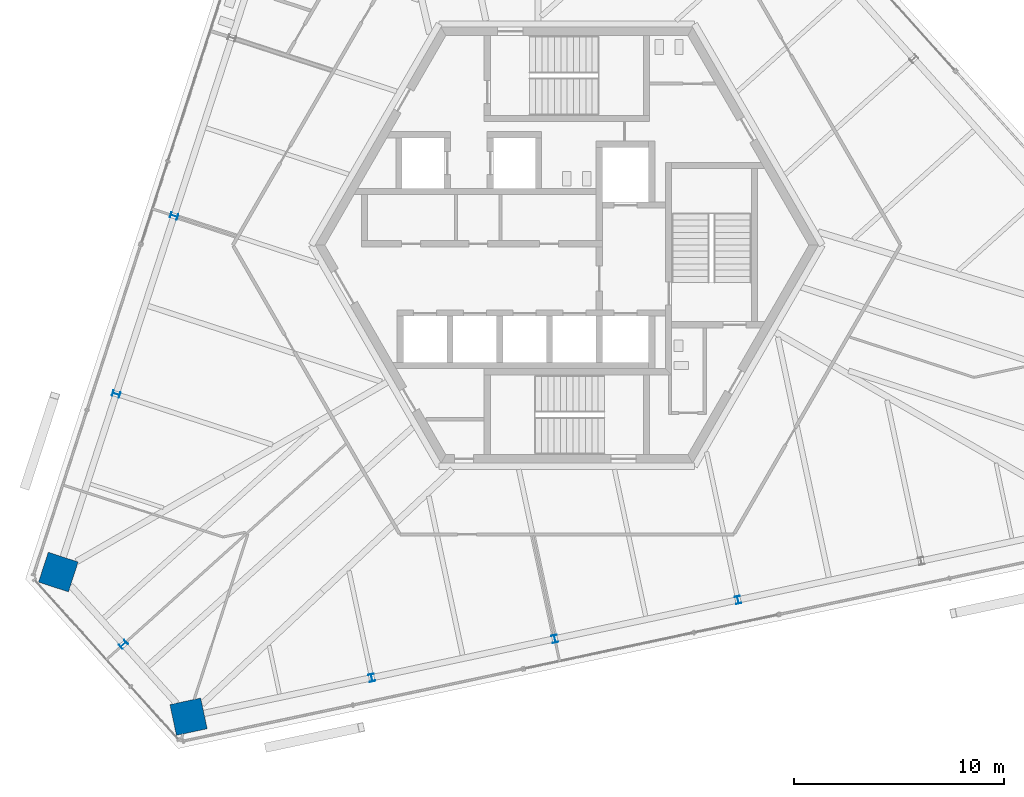
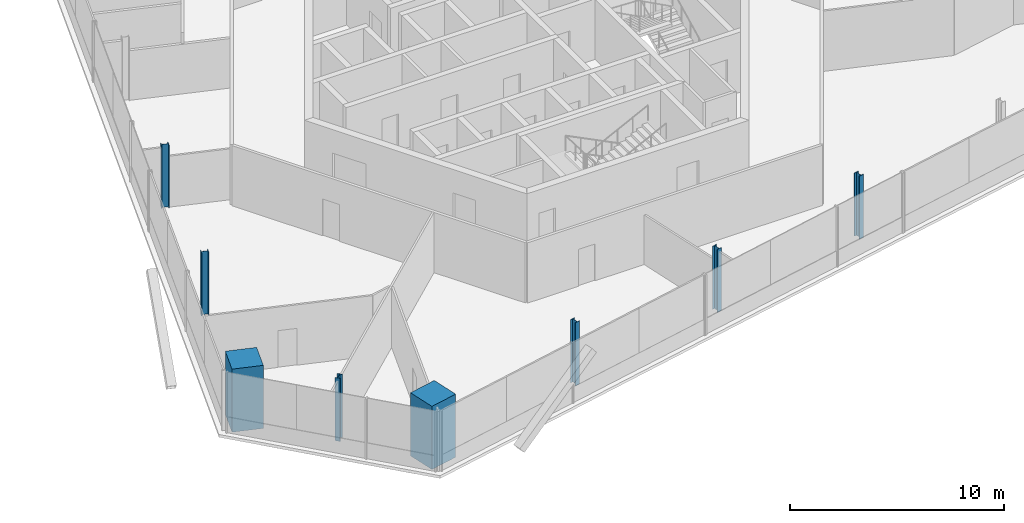
# One storey, part 1 of 14: 8 columns.
"""IFC4 building model written with IfcOpenShell, lengths in metres."""

from ifc_helpers import new_model, si_unit, direction, frame, origin, origin_2d, place, context, subcontext, project, spatial, rectangle, i_section, extrude, source, transform, mapped, material, material_profile, profile_set, type_object, element, save


model = new_model("IFC4")

# Units and contexts
model_context = context("Model", 3, precision=1e-05, world=origin(), true_north=direction((0.0, 1.0)))
body_context = subcontext(model_context, "Body", "Model", "MODEL_VIEW")
ifc_project = project(units=[si_unit("LENGTHUNIT", "METRE"), si_unit("AREAUNIT", "SQUARE_METRE"), si_unit("VOLUMEUNIT", "CUBIC_METRE"), si_unit("PLANEANGLEUNIT", "RADIAN"), si_unit("MASSUNIT", "GRAM", prefix="KILO")], contexts=[model_context])

# Site, building, storey
site_placement = place(None, origin())
site = spatial("IfcSite", under=ifc_project, at=site_placement, CompositionType="ELEMENT")
building_placement = place(site_placement, origin())
building = spatial("IfcBuilding", under=site, at=building_placement, Name="Triune Harvest Tower", CompositionType="ELEMENT")
storey_placement = place(building_placement, frame((0.0, 0.0, 263.10009765625)))
storey = spatial("IfcBuildingStorey", under=building, at=storey_placement, Name="L69", CompositionType="ELEMENT", Elevation=263.10009765625)

# Columns
ifc_material_1 = material(Name="Concrete 70 MPa", Category="concrete")
ifc_material_profile_1 = material_profile(ifc_material_1, rectangle(XDim=1.5, YDim=1.5, at=origin_2d()), Name="Composite 1500x1500")
ifc_profile_set_1 = profile_set([ifc_material_profile_1], Name="Concrete 70 MPa")
column_type_1 = type_object("IfcColumnType", Name="MC-7 Mega column Composite 1500x1500", PredefinedType="COLUMN", material=ifc_profile_set_1)
shared_shape_1 = source(origin(), body_context, "Body", "SweptSolid", [
    extrude(rectangle(XDim=1.5, YDim=1.5, at=origin_2d()), origin(), (0.0, 0.0, 1.0), 3.599853515625),
])
for number, where, z_axis, x_axis, name in (
    (1, (-24.24853515625, -15.58984375, 0.0), (0.0, 0.0, 1.0), (-0.309015334468, -0.95105705563, 0.0), "col/L69/M12"),
    (2, (-18.0390625, -22.486083984375, 0.0), (0.0, 0.0, 1.0), (0.978147237858, 0.207913398007, 0.0), "col/L69/M14"),
):
    element("IfcColumn", number, at=place(storey_placement, frame(where, z_axis=z_axis, x_axis=x_axis)), inside=storey, type_object=column_type_1, Name=name, PredefinedType="COLUMN", context=body_context, shape_type="MappedRepresentation", body=[
        mapped(shared_shape_1, transform((0.0, 0.0, 0.0), scale=1.0)),
    ])
ifc_material_2 = material(Name="Steel ASTM A992 Gr 50", Category="steel")
ifc_material_profile_2 = material_profile(ifc_material_2, i_section(OverallWidth=0.256591796875, OverallDepth=0.360595703125, WebThickness=0.011474609375, FlangeThickness=0.02001953125, at=origin_2d()), Name="W14x74")
ifc_profile_set_2 = profile_set([ifc_material_profile_2], Name="Steel ASTM A992 Gr 50")
column_type_2 = type_object("IfcColumnType", Name="PC-7 Perimeter column W14x74", PredefinedType="COLUMN", material=ifc_profile_set_2)
shared_shape_2 = source(origin(), body_context, "Body", "SweptSolid", [
    extrude(i_section(OverallWidth=0.256591796875, OverallDepth=0.360595703125, WebThickness=0.011474609375, FlangeThickness=0.02001953125, at=origin_2d()), origin(), (0.0, 0.0, 1.0), 3.599853515625),
])
for number, where, z_axis, x_axis, name in (
    (3, (-18.730712890625, 1.392333984375, 0.0), (0.0, 0.0, 1.0), (-0.309015334468, -0.95105705563, 0.0), "col/L69/P10"),
    (4, (-21.48974609375, -7.098876953125, 0.0), (0.0, 0.0, 1.0), (-0.309015334468, -0.95105705563, 0.0), "col/L69/P11"),
    (5, (-21.143798828125, -19.0380859375, 0.0), (0.0, 0.0, 1.0), (0.669129309325, -0.743145993329, 0.0), "col/L69/P13"),
    (6, (-9.30615234375, -20.6298828125, 0.0), (0.0, 0.0, 1.0), (0.978147237858, 0.207913398007, 0.0), "col/L69/P15"),
    (7, (-0.5732421875, -18.773681640625, 0.0), (0.0, 0.0, 1.0), (0.978147237858, 0.207913398007, 0.0), "col/L69/P16"),
    (8, (8.15966796875, -16.91748046875, 0.0), (0.0, 0.0, 1.0), (0.978147237858, 0.207913398007, 0.0), "col/L69/P17"),
):
    element("IfcColumn", number, at=place(storey_placement, frame(where, z_axis=z_axis, x_axis=x_axis)), inside=storey, type_object=column_type_2, Name=name, PredefinedType="COLUMN", context=body_context, shape_type="MappedRepresentation", body=[
        mapped(shared_shape_2, transform((0.0, 0.0, 0.0), scale=1.0)),
    ])

save(model, "model.ifc")
